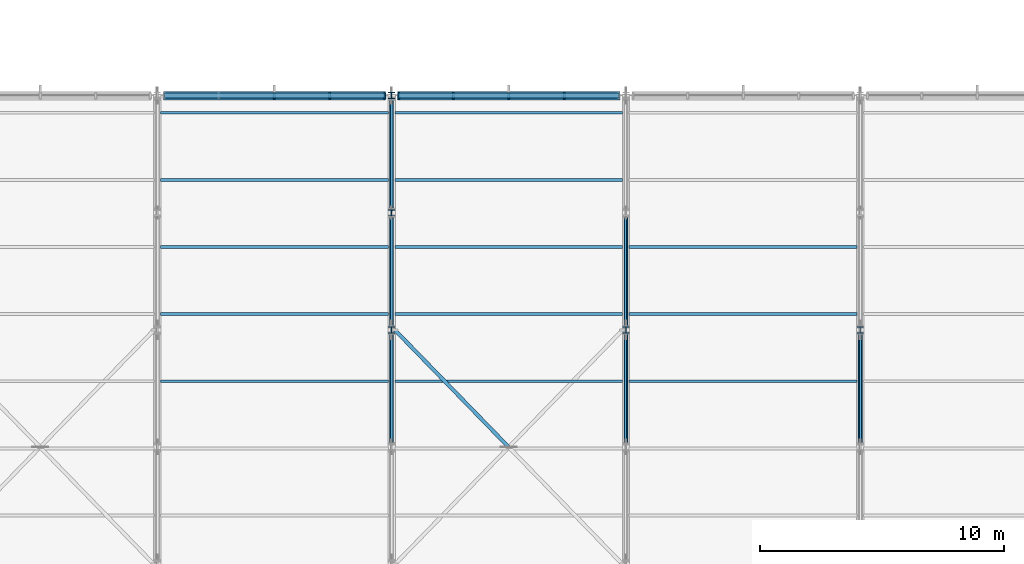
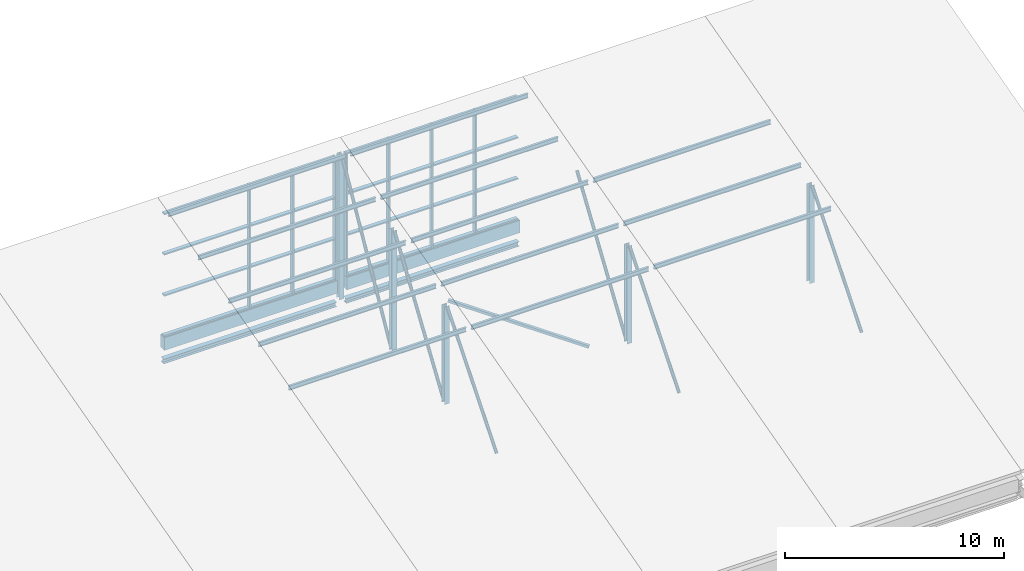
# One storey, part 9 of 57: 42 members, 2 beams, 2 elements without a shape of their own.
"""IFC4 building model written with IfcOpenShell, lengths in metres."""

from ifc_helpers import new_model, si_unit, direction, frame, origin, origin_2d, place, context, subcontext, project, spatial, rectangle, hollow_rectangle, hollow_circle, i_section, extrude, material, material_profile, profile_set, type_object, element, aggregate, save


model = new_model("IFC4")

# Units and contexts
model_context = context("Model", 3, precision=1e-05, world=origin(), true_north=direction((0.0, 1.0)))
body_context = subcontext(model_context, "Body", "Model", "MODEL_VIEW")
ifc_project = project(units=[si_unit("LENGTHUNIT", "METRE"), si_unit("AREAUNIT", "SQUARE_METRE"), si_unit("VOLUMEUNIT", "CUBIC_METRE"), si_unit("PLANEANGLEUNIT", "RADIAN"), si_unit("MASSUNIT", "GRAM", prefix="KILO")], contexts=[model_context])

# Site, building, storey
site_placement = place(None, origin())
site = spatial("IfcSite", under=ifc_project, at=site_placement, CompositionType="ELEMENT")
building_placement = place(site_placement, origin())
building = spatial("IfcBuilding", under=site, at=building_placement, Name="Shalvenor Court Art Gallery", CompositionType="ELEMENT")
storey_placement = place(building_placement, frame((0.0, 0.0, 16.800048828125)))
storey = spatial("IfcBuildingStorey", under=building, at=storey_placement, Name="L03", CompositionType="ELEMENT", Elevation=16.800048828125)

# Curtain wall, members
ifc_material_1 = material(Name="Anodised aluminium and low-iron glass curtain wall", Category="aluminium")
curtain_wall_type = type_object("IfcCurtainWallType", Name="CW-NL-V4", PredefinedType="USERDEFINED", material=ifc_material_1)
curtain_wall_1_placement = place(storey_placement, origin())
curtain_wall_1 = element("IfcCurtainWall", 1, at=curtain_wall_1_placement, inside=storey, type_object=curtain_wall_type, Name="L03 V4 North Light Clerestory 4", ObjectType="CURTAIN WALL", PredefinedType="USERDEFINED")
ifc_material_2 = material(Name="Dark anodised bronze aluminium mullion", Category="aluminium")
ifc_material_profile_1 = material_profile(ifc_material_2, rectangle(XDim=0.080078125, YDim=0.239990234375, at=origin_2d()), Name="CWM-05")
ifc_profile_set_1 = profile_set([ifc_material_profile_1], Name="Dark anodised bronze aluminium mullion")
member_type_1 = type_object("IfcMemberType", Name="CWM-05", PredefinedType="MULLION", material=ifc_profile_set_1)
member_1_placement = place(storey_placement, frame((33.60009765625, 28.800048828125, 0.0), z_axis=(0.0, 0.0, 1.0), x_axis=(1.0, 0.0, 0.0)))
member_1 = element("IfcMember", 2, at=member_1_placement, type_object=member_type_1, Name="CW-NL-V4 mullion 3", PredefinedType="MULLION", context=body_context, shape_type="SweptSolid", body=[
    extrude(rectangle(XDim=0.080078125, YDim=0.239990234375, at=origin_2d()), origin(), (0.0, 0.0, 1.0), 6.849853515625),
])
member_2_placement = place(storey_placement, frame((35.875, 28.800048828125, 0.0), z_axis=(0.0, 0.0, 1.0), x_axis=(1.0, 0.0, 0.0)))
member_2 = element("IfcMember", 3, at=member_2_placement, type_object=member_type_1, Name="CW-NL-V4 mullion 4", PredefinedType="MULLION", context=body_context, shape_type="SweptSolid", body=[
    extrude(rectangle(XDim=0.080078125, YDim=0.239990234375, at=origin_2d()), origin(), (0.0, 0.0, 1.0), 6.849853515625),
])
member_3_placement = place(storey_placement, frame((38.110107421875, 28.800048828125, 0.0), z_axis=(0.0, 0.0, 1.0), x_axis=(1.0, 0.0, 0.0)))
member_3 = element("IfcMember", 4, at=member_3_placement, type_object=member_type_1, Name="CW-NL-V4 mullion 5", PredefinedType="MULLION", context=body_context, shape_type="SweptSolid", body=[
    extrude(rectangle(XDim=0.080078125, YDim=0.239990234375, at=origin_2d()), origin(), (0.0, 0.0, 1.0), 6.849853515625),
])

curtain_wall_2_placement = place(storey_placement, origin())
curtain_wall_2 = element("IfcCurtainWall", 5, at=curtain_wall_2_placement, inside=storey, type_object=curtain_wall_type, Name="L03 V4 North Light Clerestory 5", ObjectType="CURTAIN WALL", PredefinedType="USERDEFINED")
member_4_placement = place(storey_placement, frame((38.68994140625, 28.800048828125, 0.0), z_axis=(0.0, 0.0, 1.0), x_axis=(1.0, 0.0, 0.0)))
member_4 = element("IfcMember", 6, at=member_4_placement, type_object=member_type_1, Name="CW-NL-V4 mullion 1", PredefinedType="MULLION", context=body_context, shape_type="SweptSolid", body=[
    extrude(rectangle(XDim=0.080078125, YDim=0.239990234375, at=origin_2d()), origin(), (0.0, 0.0, 1.0), 6.849853515625),
])
member_5_placement = place(storey_placement, frame((40.925048828125, 28.800048828125, 0.0), z_axis=(0.0, 0.0, 1.0), x_axis=(1.0, 0.0, 0.0)))
member_5 = element("IfcMember", 7, at=member_5_placement, type_object=member_type_1, Name="CW-NL-V4 mullion 2", PredefinedType="MULLION", context=body_context, shape_type="SweptSolid", body=[
    extrude(rectangle(XDim=0.080078125, YDim=0.239990234375, at=origin_2d()), origin(), (0.0, 0.0, 1.0), 6.849853515625),
])
member_6_placement = place(storey_placement, frame((43.199951171875, 28.800048828125, 0.0), z_axis=(0.0, 0.0, 1.0), x_axis=(1.0, 0.0, 0.0)))
member_6 = element("IfcMember", 8, at=member_6_placement, type_object=member_type_1, Name="CW-NL-V4 mullion 3", PredefinedType="MULLION", context=body_context, shape_type="SweptSolid", body=[
    extrude(rectangle(XDim=0.080078125, YDim=0.239990234375, at=origin_2d()), origin(), (0.0, 0.0, 1.0), 6.849853515625),
])
member_7_placement = place(storey_placement, frame((45.47509765625, 28.800048828125, 0.0), z_axis=(0.0, 0.0, 1.0), x_axis=(1.0, 0.0, 0.0)))
member_7 = element("IfcMember", 9, at=member_7_placement, type_object=member_type_1, Name="CW-NL-V4 mullion 4", PredefinedType="MULLION", context=body_context, shape_type="SweptSolid", body=[
    extrude(rectangle(XDim=0.080078125, YDim=0.239990234375, at=origin_2d()), origin(), (0.0, 0.0, 1.0), 6.849853515625),
])

# Member
ifc_material_3 = material(Name="Dark anodised bronze aluminium transom", Category="aluminium")
ifc_material_profile_2 = material_profile(ifc_material_3, rectangle(XDim=0.2099609375, YDim=0.074951171875, at=origin_2d()), Name="CWT-05")
ifc_profile_set_2 = profile_set([ifc_material_profile_2], Name="Dark anodised bronze aluminium transom")
member_type_2 = type_object("IfcMemberType", Name="CWT-05", PredefinedType="USERDEFINED", material=ifc_profile_set_2)
member_8_placement = place(storey_placement, frame((29.090087890625, 28.800048828125, 0.037353515625), z_axis=(1.0, 0.0, 0.0), x_axis=(0.0, 1.0, 0.0)))
member_8 = element("IfcMember", 10, at=member_8_placement, type_object=member_type_2, Name="CW-NL-V4 transom 1", ObjectType="TRANSOM", PredefinedType="USERDEFINED", context=body_context, shape_type="SweptSolid", body=[
    extrude(rectangle(XDim=0.2099609375, YDim=0.074951171875, at=origin_2d()), origin(), (0.0, 0.0, 1.0), 9.02001953125),
])

member_9_placement = place(storey_placement, frame((29.090087890625, 28.800048828125, 2.283203125), z_axis=(1.0, 0.0, 0.0), x_axis=(0.0, 1.0, 0.0)))
member_9 = element("IfcMember", 11, at=member_9_placement, type_object=member_type_2, Name="CW-NL-V4 transom 2", ObjectType="TRANSOM", PredefinedType="USERDEFINED", context=body_context, shape_type="SweptSolid", body=[
    extrude(rectangle(XDim=0.2099609375, YDim=0.074951171875, at=origin_2d()), origin(), (0.0, 0.0, 1.0), 9.02001953125),
])

member_10_placement = place(storey_placement, frame((29.090087890625, 28.800048828125, 4.566650390625), z_axis=(1.0, 0.0, 0.0), x_axis=(0.0, 1.0, 0.0)))
member_10 = element("IfcMember", 12, at=member_10_placement, type_object=member_type_2, Name="CW-NL-V4 transom 3", ObjectType="TRANSOM", PredefinedType="USERDEFINED", context=body_context, shape_type="SweptSolid", body=[
    extrude(rectangle(XDim=0.2099609375, YDim=0.074951171875, at=origin_2d()), origin(), (0.0, 0.0, 1.0), 9.02001953125),
])

member_11_placement = place(storey_placement, frame((29.090087890625, 28.800048828125, 6.8125), z_axis=(1.0, 0.0, 0.0), x_axis=(0.0, 1.0, 0.0)))
member_11 = element("IfcMember", 13, at=member_11_placement, type_object=member_type_2, Name="CW-NL-V4 transom 4", ObjectType="TRANSOM", PredefinedType="USERDEFINED", context=body_context, shape_type="SweptSolid", body=[
    extrude(rectangle(XDim=0.2099609375, YDim=0.074951171875, at=origin_2d()), origin(), (0.0, 0.0, 1.0), 9.02001953125),
])

aggregate(curtain_wall_1, [member_1, member_2, member_3, member_8, member_9, member_10, member_11])

member_12_placement = place(storey_placement, frame((38.68994140625, 28.800048828125, 0.037353515625), z_axis=(1.0, 0.0, 0.0), x_axis=(0.0, 1.0, 0.0)))
member_12 = element("IfcMember", 14, at=member_12_placement, type_object=member_type_2, Name="CW-NL-V4 transom 1", ObjectType="TRANSOM", PredefinedType="USERDEFINED", context=body_context, shape_type="SweptSolid", body=[
    extrude(rectangle(XDim=0.2099609375, YDim=0.074951171875, at=origin_2d()), origin(), (0.0, 0.0, 1.0), 9.02001953125),
])

member_13_placement = place(storey_placement, frame((38.68994140625, 28.800048828125, 2.283203125), z_axis=(1.0, 0.0, 0.0), x_axis=(0.0, 1.0, 0.0)))
member_13 = element("IfcMember", 15, at=member_13_placement, type_object=member_type_2, Name="CW-NL-V4 transom 2", ObjectType="TRANSOM", PredefinedType="USERDEFINED", context=body_context, shape_type="SweptSolid", body=[
    extrude(rectangle(XDim=0.2099609375, YDim=0.074951171875, at=origin_2d()), origin(), (0.0, 0.0, 1.0), 9.02001953125),
])

member_14_placement = place(storey_placement, frame((38.68994140625, 28.800048828125, 4.566650390625), z_axis=(1.0, 0.0, 0.0), x_axis=(0.0, 1.0, 0.0)))
member_14 = element("IfcMember", 16, at=member_14_placement, type_object=member_type_2, Name="CW-NL-V4 transom 3", ObjectType="TRANSOM", PredefinedType="USERDEFINED", context=body_context, shape_type="SweptSolid", body=[
    extrude(rectangle(XDim=0.2099609375, YDim=0.074951171875, at=origin_2d()), origin(), (0.0, 0.0, 1.0), 9.02001953125),
])

member_15_placement = place(storey_placement, frame((38.68994140625, 28.800048828125, 6.8125), z_axis=(1.0, 0.0, 0.0), x_axis=(0.0, 1.0, 0.0)))
member_15 = element("IfcMember", 17, at=member_15_placement, type_object=member_type_2, Name="CW-NL-V4 transom 4", ObjectType="TRANSOM", PredefinedType="USERDEFINED", context=body_context, shape_type="SweptSolid", body=[
    extrude(rectangle(XDim=0.2099609375, YDim=0.074951171875, at=origin_2d()), origin(), (0.0, 0.0, 1.0), 9.02001953125),
])

aggregate(curtain_wall_2, [member_4, member_5, member_6, member_7, member_12, member_13, member_14, member_15])

# Members
ifc_material_4 = material(Name="Steel S355", Category="steel")
ifc_material_profile_3 = material_profile(ifc_material_4, i_section(OverallWidth=0.1201171875, OverallDepth=0.239990234375, WebThickness=0.006103515625, FlangeThickness=0.009765625, at=origin_2d()), Name="IPE 240")
ifc_profile_set_3 = profile_set([ifc_material_profile_3], Name="Steel S355")
member_type_3 = type_object("IfcMemberType", Name="PR-02", PredefinedType="PURLIN", material=ifc_profile_set_3)
for number, where, z_axis, x_axis, name in (
    (18, (28.93505859375, 17.10009765625, 4.2548828125), (1.0, 0.0, 0.0), (0.0, 1.0, 0.0), "L03 V4 Roof Purlin 4.7"),
    (19, (28.93505859375, 19.85009765625, 4.999755859375), (1.0, 0.0, 0.0), (0.0, 1.0, 0.0), "L03 V4 Roof Purlin 4.8"),
    (20, (28.93505859375, 22.60009765625, 5.744384765625), (1.0, 0.0, 0.0), (0.0, 1.0, 0.0), "L03 V4 Roof Purlin 4.9"),
    (21, (28.93505859375, 25.35009765625, 6.4892578125), (1.0, 0.0, 0.0), (0.0, 1.0, 0.0), "L03 V4 Roof Purlin 4.10"),
    (22, (28.93505859375, 28.10009765625, 7.234130859375), (1.0, 0.0, 0.0), (0.0, 1.0, 0.0), "L03 V4 Roof Purlin 4.11"),
):
    element("IfcMember", number, at=place(storey_placement, frame(where, z_axis=z_axis, x_axis=x_axis)), inside=storey, type_object=member_type_3, Name=name, PredefinedType="PURLIN", context=body_context, shape_type="SweptSolid", body=[
        extrude(i_section(OverallWidth=0.1201171875, OverallDepth=0.239990234375, WebThickness=0.006103515625, FlangeThickness=0.009765625, at=origin_2d()), origin(), (0.0, 0.0, 1.0), 9.329833984375),
    ])
for number, where, z_axis, x_axis, name in (
    (23, (38.534912109375, 17.10009765625, 4.2548828125), (1.0, 0.0, 0.0), (0.0, 1.0, 0.0), "L03 V4 Roof Purlin 5.7"),
    (24, (38.534912109375, 19.85009765625, 4.999755859375), (1.0, 0.0, 0.0), (0.0, 1.0, 0.0), "L03 V4 Roof Purlin 5.8"),
    (25, (38.534912109375, 22.60009765625, 5.744384765625), (1.0, 0.0, 0.0), (0.0, 1.0, 0.0), "L03 V4 Roof Purlin 5.9"),
    (26, (38.534912109375, 25.35009765625, 6.4892578125), (1.0, 0.0, 0.0), (0.0, 1.0, 0.0), "L03 V4 Roof Purlin 5.10"),
    (27, (38.534912109375, 28.10009765625, 7.234130859375), (1.0, 0.0, 0.0), (0.0, 1.0, 0.0), "L03 V4 Roof Purlin 5.11"),
    (28, (48.135009765625, 17.10009765625, 4.2548828125), (1.0, 0.0, 0.0), (0.0, 1.0, 0.0), "L03 V4 Roof Purlin 6.7"),
    (29, (48.135009765625, 19.85009765625, 4.999755859375), (1.0, 0.0, 0.0), (0.0, 1.0, 0.0), "L03 V4 Roof Purlin 6.8"),
    (30, (48.135009765625, 22.60009765625, 5.744384765625), (1.0, 0.0, 0.0), (0.0, 1.0, 0.0), "L03 V4 Roof Purlin 6.9"),
):
    element("IfcMember", number, at=place(storey_placement, frame(where, z_axis=z_axis, x_axis=x_axis)), inside=storey, type_object=member_type_3, Name=name, PredefinedType="PURLIN", context=body_context, shape_type="SweptSolid", body=[
        extrude(i_section(OverallWidth=0.1201171875, OverallDepth=0.239990234375, WebThickness=0.006103515625, FlangeThickness=0.009765625, at=origin_2d()), origin(), (0.0, 0.0, 1.0), 9.330078125),
    ])

# Beams
ifc_material_5 = material(Name="Concrete C40/50", Category="concrete")
ifc_material_profile_4 = material_profile(ifc_material_5, rectangle(XDim=0.35009765625, YDim=0.699951171875, at=origin_2d()), Name="RC 350x700")
ifc_profile_set_4 = profile_set([ifc_material_profile_4], Name="Concrete C40/50")
beam_type = type_object("IfcBeamType", Name="SP-01", PredefinedType="SPANDREL", material=ifc_profile_set_4)
beam_1_placement = place(storey_placement, frame((29.050048828125, 28.800048828125, -0.35009765625), z_axis=(1.0, 0.0, 0.0), x_axis=(0.0, 1.0, 0.0)))
element("IfcBeam", 31, at=beam_1_placement, inside=storey, type_object=beam_type, Name="L03 Spandrel Girder BM-L03-SP-01-1060", PredefinedType="SPANDREL", context=body_context, shape_type="SweptSolid", body=[
    extrude(rectangle(XDim=0.35009765625, YDim=0.699951171875, at=origin_2d()), origin(), (0.0, 0.0, 1.0), 9.099853515625),
])
beam_2_placement = place(storey_placement, frame((38.64990234375, 28.800048828125, -0.35009765625), z_axis=(1.0, 0.0, 0.0), x_axis=(0.0, 1.0, 0.0)))
element("IfcBeam", 32, at=beam_2_placement, inside=storey, type_object=beam_type, Name="L03 Spandrel Girder BM-L03-SP-01-1061", PredefinedType="SPANDREL", context=body_context, shape_type="SweptSolid", body=[
    extrude(rectangle(XDim=0.35009765625, YDim=0.699951171875, at=origin_2d()), origin(), (0.0, 0.0, 1.0), 9.10009765625),
])

# Members
ifc_material_6 = material(Name="Steel S355", Category="steel")
ifc_material_profile_5 = material_profile(ifc_material_6, hollow_rectangle(XDim=0.14990234375, YDim=0.14990234375, WallThickness=0.008056640625, at=origin_2d()), Name="SHS 150x150x8.0")
ifc_profile_set_5 = profile_set([ifc_material_profile_5], Name="Steel S355")
member_type_4 = type_object("IfcMemberType", Name="TM-B1", PredefinedType="BRACE", material=ifc_profile_set_5)
member_16_placement = place(storey_placement, frame((43.186279296875, 14.4140625, 3.195556640625), z_axis=(-0.684173061882, 0.703959927151, 0.190650576608), x_axis=(-0.71711324433, -0.696956666376, 0.0)))
element("IfcMember", 33, at=member_16_placement, inside=storey, type_object=member_type_4, Name="L03 V4 Roof Plan Brace 5.2B", PredefinedType="BRACE", context=body_context, shape_type="SweptSolid", body=[
    extrude(hollow_rectangle(XDim=0.14990234375, YDim=0.14990234375, WallThickness=0.008056640625, at=origin_2d()), origin(), (0.0, 0.0, 1.0), 6.798583984375),
])
ifc_material_7 = material(Name="Steel S355", Category="steel")
ifc_material_profile_6 = material_profile(ifc_material_7, i_section(OverallWidth=0.260009765625, OverallDepth=0.260009765625, WebThickness=0.010009765625, FlangeThickness=0.017578125, at=origin_2d()), Name="HEB 260")
ifc_profile_set_6 = profile_set([ifc_material_profile_6], Name="Steel S355")
member_type_5 = type_object("IfcMemberType", Name="TM-C1", PredefinedType="CHORD", material=ifc_profile_set_6)
member_17_placement = place(storey_placement, frame((29.050048828125, 28.800048828125, -1.35009765625), z_axis=(1.0, 0.0, 0.0), x_axis=(0.0, 1.0, 0.0)))
element("IfcMember", 34, at=member_17_placement, inside=storey, type_object=member_type_5, Name="L03 V4 Eave Truss Chord Tie 4.2", PredefinedType="CHORD", context=body_context, shape_type="SweptSolid", body=[
    extrude(i_section(OverallWidth=0.260009765625, OverallDepth=0.260009765625, WebThickness=0.010009765625, FlangeThickness=0.017578125, at=origin_2d()), origin(), (0.0, 0.0, 1.0), 9.099853515625),
])
member_18_placement = place(storey_placement, frame((38.64990234375, 28.800048828125, -1.35009765625), z_axis=(1.0, 0.0, 0.0), x_axis=(0.0, 1.0, 0.0)))
element("IfcMember", 35, at=member_18_placement, inside=storey, type_object=member_type_5, Name="L03 V4 Eave Truss Chord Tie 5.2", PredefinedType="CHORD", context=body_context, shape_type="SweptSolid", body=[
    extrude(i_section(OverallWidth=0.260009765625, OverallDepth=0.260009765625, WebThickness=0.010009765625, FlangeThickness=0.017578125, at=origin_2d()), origin(), (0.0, 0.0, 1.0), 9.10009765625),
])
ifc_material_8 = material(Name="Steel S355", Category="steel")
ifc_material_profile_7 = material_profile(ifc_material_8, hollow_circle(Radius=0.084228515625, WallThickness=0.008056640625, at=origin_2d()), Name="CHS 168.3x8.0")
ifc_profile_set_7 = profile_set([ifc_material_profile_7], Name="Steel S355")
member_type_6 = type_object("IfcMemberType", Name="TM-D2", PredefinedType="BRACE", material=ifc_profile_set_7)
member_19_placement = place(storey_placement, frame((38.39990234375, 14.5400390625, -1.16015625), z_axis=(0.0, 0.638941157708, 0.769255612256), x_axis=(-1.0, 0.0, 0.0)))
element("IfcMember", 36, at=member_19_placement, inside=storey, type_object=member_type_6, Name="TR-V4-05 Roof Truss Diagonal 4", PredefinedType="BRACE", context=body_context, shape_type="SweptSolid", body=[
    extrude(hollow_circle(Radius=0.084228515625, WallThickness=0.008056640625, at=origin_2d()), origin(), (0.0, 0.0, 1.0), 7.07421875),
])
member_20_placement = place(storey_placement, frame((38.39990234375, 19.340087890625, -1.16015625), z_axis=(0.0, 0.556877845095, 0.830594405015), x_axis=(-1.0, 0.0, 0.0)))
element("IfcMember", 37, at=member_20_placement, inside=storey, type_object=member_type_6, Name="TR-V4-05 Roof Truss Diagonal 5", PredefinedType="BRACE", context=body_context, shape_type="SweptSolid", body=[
    extrude(hollow_circle(Radius=0.084228515625, WallThickness=0.008056640625, at=origin_2d()), origin(), (0.0, 0.0, 1.0), 8.11669921875),
])
member_21_placement = place(storey_placement, frame((38.39990234375, 24.139892578125, -1.16015625), z_axis=(0.0, 0.489975986484, 0.871735930583), x_axis=(-1.0, 0.0, 0.0)))
element("IfcMember", 38, at=member_21_placement, inside=storey, type_object=member_type_6, Name="TR-V4-05 Roof Truss Diagonal 6", PredefinedType="BRACE", context=body_context, shape_type="SweptSolid", body=[
    extrude(hollow_circle(Radius=0.084228515625, WallThickness=0.008056640625, at=origin_2d()), origin(), (0.0, 0.0, 1.0), 9.22509765625),
])
member_22_placement = place(storey_placement, frame((48.0, 14.5400390625, -1.16015625), z_axis=(0.0, 0.638941157708, 0.769255612256), x_axis=(-1.0, 0.0, 0.0)))
element("IfcMember", 39, at=member_22_placement, inside=storey, type_object=member_type_6, Name="TR-V4-06 Roof Truss Diagonal 4", PredefinedType="BRACE", context=body_context, shape_type="SweptSolid", body=[
    extrude(hollow_circle(Radius=0.084228515625, WallThickness=0.008056640625, at=origin_2d()), origin(), (0.0, 0.0, 1.0), 7.07421875),
])
member_23_placement = place(storey_placement, frame((48.0, 19.340087890625, -1.16015625), z_axis=(0.0, 0.556877845095, 0.830594405015), x_axis=(-1.0, 0.0, 0.0)))
element("IfcMember", 40, at=member_23_placement, inside=storey, type_object=member_type_6, Name="TR-V4-06 Roof Truss Diagonal 5", PredefinedType="BRACE", context=body_context, shape_type="SweptSolid", body=[
    extrude(hollow_circle(Radius=0.084228515625, WallThickness=0.008056640625, at=origin_2d()), origin(), (0.0, 0.0, 1.0), 8.11669921875),
])
member_24_placement = place(storey_placement, frame((57.60009765625, 14.5400390625, -1.16015625), z_axis=(0.0, 0.638941157708, 0.769255612256), x_axis=(-1.0, 0.0, 0.0)))
element("IfcMember", 41, at=member_24_placement, inside=storey, type_object=member_type_6, Name="TR-V4-07 Roof Truss Diagonal 4", PredefinedType="BRACE", context=body_context, shape_type="SweptSolid", body=[
    extrude(hollow_circle(Radius=0.084228515625, WallThickness=0.008056640625, at=origin_2d()), origin(), (0.0, 0.0, 1.0), 7.07421875),
])
ifc_material_9 = material(Name="Steel S355", Category="steel")
ifc_material_profile_8 = material_profile(ifc_material_9, i_section(OverallWidth=0.260009765625, OverallDepth=0.260009765625, WebThickness=0.010009765625, FlangeThickness=0.017578125, at=origin_2d()), Name="HEB 260")
ifc_profile_set_8 = profile_set([ifc_material_profile_8], Name="Steel S355")
member_type_7 = type_object("IfcMemberType", Name="TM-V1", PredefinedType="STRUT", material=ifc_profile_set_8)
member_25_placement = place(storey_placement, frame((38.39990234375, 19.199951171875, -1.155029296875), z_axis=(0.0, 0.0, 1.0), x_axis=(1.0, 0.0, 0.0)))
element("IfcMember", 42, at=member_25_placement, inside=storey, type_object=member_type_7, Name="TR-V4-05 Roof Truss Vertical 5", PredefinedType="STRUT", context=body_context, shape_type="SweptSolid", body=[
    extrude(i_section(OverallWidth=0.260009765625, OverallDepth=0.260009765625, WebThickness=0.010009765625, FlangeThickness=0.017578125, at=origin_2d()), origin(), (0.0, 0.0, 1.0), 5.431640625),
])
member_26_placement = place(storey_placement, frame((38.39990234375, 24.0, -1.155029296875), z_axis=(0.0, 0.0, 1.0), x_axis=(1.0, 0.0, 0.0)))
element("IfcMember", 43, at=member_26_placement, inside=storey, type_object=member_type_7, Name="TR-V4-05 Roof Truss Vertical 6", PredefinedType="STRUT", context=body_context, shape_type="SweptSolid", body=[
    extrude(i_section(OverallWidth=0.260009765625, OverallDepth=0.260009765625, WebThickness=0.010009765625, FlangeThickness=0.017578125, at=origin_2d()), origin(), (0.0, 0.0, 1.0), 6.731689453125),
])
member_27_placement = place(storey_placement, frame((38.39990234375, 28.800048828125, -1.155029296875), z_axis=(0.0, 0.0, 1.0), x_axis=(1.0, 0.0, 0.0)))
element("IfcMember", 44, at=member_27_placement, inside=storey, type_object=member_type_7, Name="TR-V4-05 Roof Truss Vertical 7", PredefinedType="STRUT", context=body_context, shape_type="SweptSolid", body=[
    extrude(i_section(OverallWidth=0.260009765625, OverallDepth=0.260009765625, WebThickness=0.010009765625, FlangeThickness=0.017578125, at=origin_2d()), origin(), (0.0, 0.0, 1.0), 8.03173828125),
])
for number, where, z_axis, x_axis, name in (
    (45, (48.0, 19.199951171875, -1.155029296875), (0.0, 0.0, 1.0), (1.0, 0.0, 0.0), "TR-V4-06 Roof Truss Vertical 5"),
    (46, (57.60009765625, 19.199951171875, -1.155029296875), (0.0, 0.0, 1.0), (1.0, 0.0, 0.0), "TR-V4-07 Roof Truss Vertical 5"),
):
    element("IfcMember", number, at=place(storey_placement, frame(where, z_axis=z_axis, x_axis=x_axis)), inside=storey, type_object=member_type_7, Name=name, PredefinedType="STRUT", context=body_context, shape_type="SweptSolid", body=[
        extrude(i_section(OverallWidth=0.260009765625, OverallDepth=0.260009765625, WebThickness=0.010009765625, FlangeThickness=0.017578125, at=origin_2d()), origin(), (0.0, 0.0, 1.0), 5.431640625),
    ])

save(model, "model.ifc")
